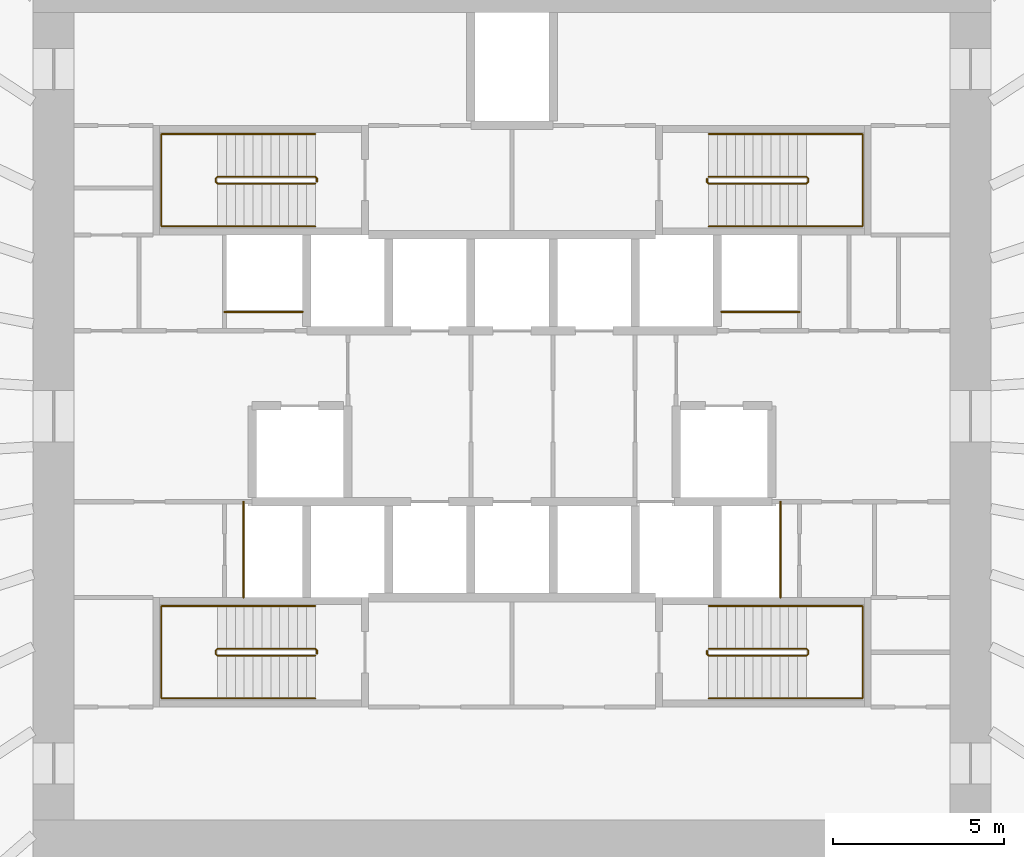
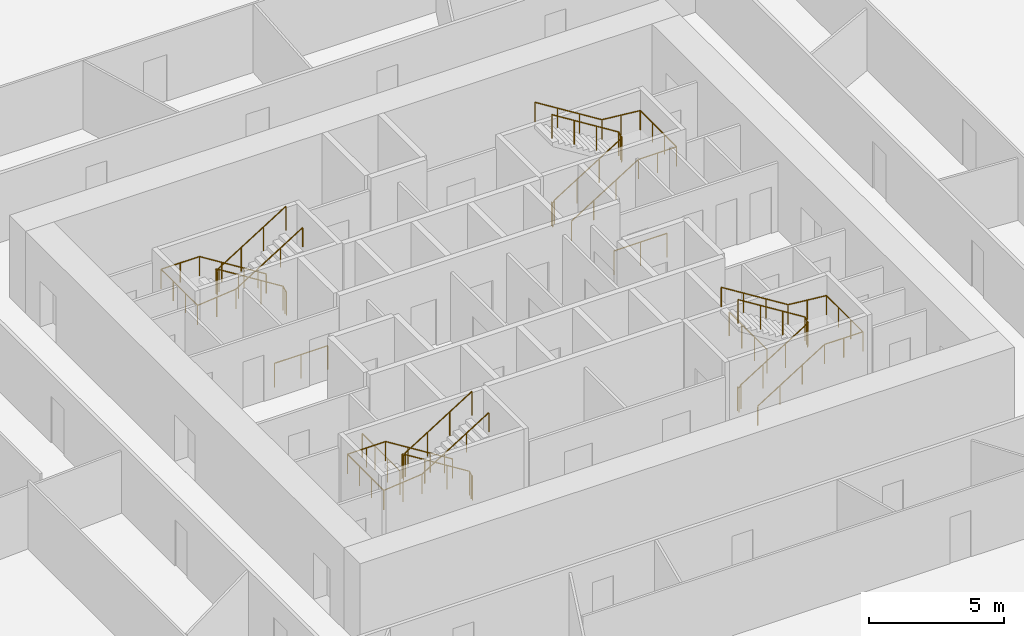
# One storey, part 10 of 10: 12 railings.
"""IFC4 building model written with IfcOpenShell, lengths in metres."""

from ifc_helpers import new_model, si_unit, direction, frame, origin, origin_2d, place, context, subcontext, project, spatial, circle, extrude, source, transform, mapped, material, type_object, element, save


model = new_model("IFC4")

# Units and contexts
model_context = context("Model", 3, precision=1e-05, world=origin(), true_north=direction((0.0, 1.0)))
body_context = subcontext(model_context, "Body", "Model", "MODEL_VIEW")
ifc_project = project(units=[si_unit("LENGTHUNIT", "METRE"), si_unit("AREAUNIT", "SQUARE_METRE"), si_unit("VOLUMEUNIT", "CUBIC_METRE"), si_unit("PLANEANGLEUNIT", "RADIAN"), si_unit("MASSUNIT", "GRAM", prefix="KILO")], contexts=[model_context])

# Site, building, storey
site_placement = place(None, origin())
site = spatial("IfcSite", under=ifc_project, at=site_placement, CompositionType="ELEMENT")
building_placement = place(site_placement, origin())
building = spatial("IfcBuilding", under=site, at=building_placement, Name="Embergate Tower", CompositionType="ELEMENT")
storey_placement = place(building_placement, frame((0.0, 0.0, 81.5)))
storey = spatial("IfcBuildingStorey", under=building, at=storey_placement, Name="L16", CompositionType="ELEMENT", Elevation=81.5)

# Railings
ifc_material_1 = material(Name="Stair guard 1100")
railing_type_1 = type_object("IfcRailingType", Name="Stair guard 1100", PredefinedType="GUARDRAIL", material=ifc_material_1)
shared_shape_1 = source(origin(), body_context, "Body", "SweptSolid", [
    extrude(circle(Radius=0.02392578125, at=origin_2d()), frame((0.0, 0.0, 1.076171875), z_axis=(0.0, 1.0, 0.0), x_axis=(-1.0, 0.0, 0.0)), (0.0, 0.0, 1.0), 0.099853515625),
    extrude(circle(Radius=0.02392578125, at=origin_2d()), frame((0.0, 0.099853515625, 1.076171875), z_axis=(-0.282227285176, 0.282227285176, 0.916894497205), x_axis=(-0.707106781187, -0.707106781187, 0.0)), (0.0, 0.0, 1.0), 0.17724609375),
    extrude(circle(Radius=0.02392578125, at=origin_2d()), frame((-0.050048828125, 0.14990234375, 1.23876953125), z_axis=(-0.848026770018, 0.0, 0.529953391661), x_axis=(0.0, -1.0, 0.0)), (0.0, 0.0, 1.0), 3.37255859375),
    extrude(circle(Radius=0.02392578125, at=origin_2d()), frame((-2.91015625, 0.14990234375, 3.02587890625), z_axis=(-0.705375805398, -0.708833529934, 0.0), x_axis=(0.708833529934, -0.705375805398, 0.0)), (0.0, 0.0, 1.0), 0.070556640625),
    extrude(circle(Radius=0.02392578125, at=origin_2d()), frame((-2.9599609375, 0.099853515625, 3.02587890625), z_axis=(0.0, -1.0, 0.0), x_axis=(1.0, 0.0, 0.0)), (0.0, 0.0, 1.0), 0.099853515625),
    extrude(circle(Radius=0.02392578125, at=origin_2d()), frame((-2.9599609375, 0.0, 3.02587890625), z_axis=(0.280959487676, -0.282336740067, 0.917250092119), x_axis=(0.708833529934, 0.705375805398, 0.0)), (0.0, 0.0, 1.0), 0.17724609375),
    extrude(circle(Radius=0.02392578125, at=origin_2d()), frame((-2.91015625, -0.050048828125, 3.1884765625), z_axis=(0.848026770018, 0.0, 0.529953391661), x_axis=(0.0, 1.0, 0.0)), (0.0, 0.0, 1.0), 3.37255859375),
    extrude(circle(Radius=0.02099609375, at=origin_2d()), origin(), (0.0, 0.0, 1.0), 1.052001953125),
    extrude(circle(Radius=0.02099609375, at=origin_2d()), frame((0.0, 0.099853515625, 0.0)), (0.0, 0.0, 1.0), 1.052001953125),
    extrude(circle(Radius=0.02099609375, at=origin_2d()), frame((-0.050048828125, 0.14990234375, 0.16259765625)), (0.0, 0.0, 1.0), 1.052001953125),
    extrude(circle(Radius=0.02099609375, at=origin_2d()), frame((-1.00341796875, 0.14990234375, 0.75830078125)), (0.0, 0.0, 1.0), 1.052001953125),
    extrude(circle(Radius=0.02099609375, at=origin_2d()), frame((-1.956787109375, 0.14990234375, 1.354248046875)), (0.0, 0.0, 1.0), 1.052001953125),
    extrude(circle(Radius=0.02099609375, at=origin_2d()), frame((-2.91015625, 0.14990234375, 1.949951171875)), (0.0, 0.0, 1.0), 1.052001953125),
    extrude(circle(Radius=0.02099609375, at=origin_2d()), frame((-2.9599609375, 0.099853515625, 1.949951171875)), (0.0, 0.0, 1.0), 1.052001953125),
    extrude(circle(Radius=0.02099609375, at=origin_2d()), frame((-2.9599609375, 0.0, 1.949951171875)), (0.0, 0.0, 1.0), 1.052001953125),
    extrude(circle(Radius=0.02099609375, at=origin_2d()), frame((-2.91015625, -0.050048828125, 2.112548828125)), (0.0, 0.0, 1.0), 1.052001953125),
    extrude(circle(Radius=0.02099609375, at=origin_2d()), frame((-1.956787109375, -0.050048828125, 2.708251953125)), (0.0, 0.0, 1.0), 1.052001953125),
    extrude(circle(Radius=0.02099609375, at=origin_2d()), frame((-1.00341796875, -0.050048828125, 3.30419921875)), (0.0, 0.0, 1.0), 1.052001953125),
    extrude(circle(Radius=0.02099609375, at=origin_2d()), frame((-0.050048828125, -0.050048828125, 3.89990234375)), (0.0, 0.0, 1.0), 1.052001953125),
])
for number, where, name in (
    (1, (-5.699951171875, 6.85009765625, 0.0), "L16 ST1 stair guard 1"),
    (2, (-5.699951171875, -6.949951171875, 0.0), "L16 ST3 stair guard 1"),
):
    element("IfcRailing", number, at=place(storey_placement, frame(where)), inside=storey, type_object=railing_type_1, Name=name, PredefinedType="GUARDRAIL", context=body_context, shape_type="MappedRepresentation", body=[
        mapped(shared_shape_1, transform((0.0, 0.0, 0.0))),
    ])
ifc_material_2 = material(Name="Stair handrail 900")
railing_type_2 = type_object("IfcRailingType", Name="Stair handrail 900", PredefinedType="HANDRAIL", material=ifc_material_2)
shared_shape_2 = source(origin(), body_context, "Body", "SweptSolid", [
    extrude(circle(Radius=0.02392578125, at=origin_2d()), frame((0.0, 0.0, 0.8759765625), z_axis=(-0.848026770018, 0.0, 0.529953391661), x_axis=(0.0, -1.0, 0.0)), (0.0, 0.0, 1.0), 3.37255859375),
    extrude(circle(Radius=0.02392578125, at=origin_2d()), frame((-2.860107421875, 0.0, 2.6630859375), z_axis=(-1.0, 0.0, 0.0), x_axis=(0.0, -1.0, 0.0)), (0.0, 0.0, 1.0), 1.639892578125),
    extrude(circle(Radius=0.02392578125, at=origin_2d()), frame((-4.5, 0.0, 2.6630859375), z_axis=(0.0, -1.0, 0.0), x_axis=(1.0, 0.0, 0.0)), (0.0, 0.0, 1.0), 2.699951171875),
    extrude(circle(Radius=0.02392578125, at=origin_2d()), frame((-4.5, -2.699951171875, 2.6630859375), z_axis=(0.995120448088, 0.0, 0.098667592441), x_axis=(0.0, 1.0, 0.0)), (0.0, 0.0, 1.0), 1.64794921875),
    extrude(circle(Radius=0.02392578125, at=origin_2d()), frame((-2.860107421875, -2.699951171875, 2.82568359375), z_axis=(0.848026770018, 0.0, 0.529953391661), x_axis=(0.0, 1.0, 0.0)), (0.0, 0.0, 1.0), 3.37255859375),
    extrude(circle(Radius=0.02099609375, at=origin_2d()), origin(), (0.0, 0.0, 1.0), 0.851806640625),
    extrude(circle(Radius=0.02099609375, at=origin_2d()), frame((-0.953369140625, 0.0, 0.595703125)), (0.0, 0.0, 1.0), 0.851806640625),
    extrude(circle(Radius=0.02099609375, at=origin_2d()), frame((-1.90673828125, 0.0, 1.191650390625)), (0.0, 0.0, 1.0), 0.851806640625),
    extrude(circle(Radius=0.02099609375, at=origin_2d()), frame((-2.860107421875, 0.0, 1.787353515625)), (0.0, 0.0, 1.0), 0.851806640625),
    extrude(circle(Radius=0.02099609375, at=origin_2d()), frame((-3.68017578125, 0.0, 1.787353515625)), (0.0, 0.0, 1.0), 0.851806640625),
    extrude(circle(Radius=0.02099609375, at=origin_2d()), frame((-4.5, 0.0, 1.787353515625)), (0.0, 0.0, 1.0), 0.851806640625),
    extrude(circle(Radius=0.02099609375, at=origin_2d()), frame((-4.5, -0.89990234375, 1.787353515625)), (0.0, 0.0, 1.0), 0.851806640625),
    extrude(circle(Radius=0.02099609375, at=origin_2d()), frame((-4.5, -1.800048828125, 1.787353515625)), (0.0, 0.0, 1.0), 0.851806640625),
    extrude(circle(Radius=0.02099609375, at=origin_2d()), frame((-4.5, -2.699951171875, 1.787353515625)), (0.0, 0.0, 1.0), 0.851806640625),
    extrude(circle(Radius=0.02099609375, at=origin_2d()), frame((-3.68017578125, -2.699951171875, 1.86865234375)), (0.0, 0.0, 1.0), 0.851806640625),
    extrude(circle(Radius=0.02099609375, at=origin_2d()), frame((-2.860107421875, -2.699951171875, 1.949951171875)), (0.0, 0.0, 1.0), 0.851806640625),
    extrude(circle(Radius=0.02099609375, at=origin_2d()), frame((-1.90673828125, -2.699951171875, 2.545654296875)), (0.0, 0.0, 1.0), 0.851806640625),
    extrude(circle(Radius=0.02099609375, at=origin_2d()), frame((-0.953369140625, -2.699951171875, 3.1416015625)), (0.0, 0.0, 1.0), 0.851806640625),
    extrude(circle(Radius=0.02099609375, at=origin_2d()), frame((0.0, -2.699951171875, 3.7373046875)), (0.0, 0.0, 1.0), 0.851806640625),
])
for number, where, name in (
    (3, (-5.75, 8.25, 0.16259765625), "L16 ST1 stair handrail 1"),
    (4, (-5.75, -5.550048828125, 0.16259765625), "L16 ST3 stair handrail 1"),
):
    element("IfcRailing", number, at=place(storey_placement, frame(where)), inside=storey, type_object=railing_type_2, Name=name, PredefinedType="HANDRAIL", context=body_context, shape_type="MappedRepresentation", body=[
        mapped(shared_shape_2, transform((0.0, 0.0, 0.0))),
    ])
shared_shape_3 = source(origin(), body_context, "Body", "SweptSolid", [
    extrude(circle(Radius=0.02392578125, at=origin_2d()), frame((0.0, 0.0, 1.076171875), z_axis=(0.0, -1.0, 0.0), x_axis=(1.0, 0.0, 0.0)), (0.0, 0.0, 1.0), 0.099853515625),
    extrude(circle(Radius=0.02392578125, at=origin_2d()), frame((0.0, -0.099853515625, 1.076171875), z_axis=(0.282227285176, -0.282227285176, 0.916894497205), x_axis=(0.707106781187, 0.707106781187, 0.0)), (0.0, 0.0, 1.0), 0.17724609375),
    extrude(circle(Radius=0.02392578125, at=origin_2d()), frame((0.050048828125, -0.14990234375, 1.23876953125), z_axis=(0.848026770018, 0.0, 0.529953391661), x_axis=(0.0, 1.0, 0.0)), (0.0, 0.0, 1.0), 3.37255859375),
    extrude(circle(Radius=0.02392578125, at=origin_2d()), frame((2.91015625, -0.14990234375, 3.02587890625), z_axis=(0.705375805398, 0.708833529934, 0.0), x_axis=(-0.708833529934, 0.705375805398, 0.0)), (0.0, 0.0, 1.0), 0.070556640625),
    extrude(circle(Radius=0.02392578125, at=origin_2d()), frame((2.9599609375, -0.099853515625, 3.02587890625), z_axis=(0.0, 1.0, 0.0), x_axis=(-1.0, 0.0, 0.0)), (0.0, 0.0, 1.0), 0.099853515625),
    extrude(circle(Radius=0.02392578125, at=origin_2d()), frame((2.9599609375, 0.0, 3.02587890625), z_axis=(-0.280959487676, 0.282336740067, 0.917250092119), x_axis=(-0.708833529934, -0.705375805398, 0.0)), (0.0, 0.0, 1.0), 0.17724609375),
    extrude(circle(Radius=0.02392578125, at=origin_2d()), frame((2.91015625, 0.050048828125, 3.1884765625), z_axis=(-0.848026770018, 0.0, 0.529953391661), x_axis=(0.0, -1.0, 0.0)), (0.0, 0.0, 1.0), 3.37255859375),
    extrude(circle(Radius=0.02099609375, at=origin_2d()), origin(), (0.0, 0.0, 1.0), 1.052001953125),
    extrude(circle(Radius=0.02099609375, at=origin_2d()), frame((0.0, -0.099853515625, 0.0)), (0.0, 0.0, 1.0), 1.052001953125),
    extrude(circle(Radius=0.02099609375, at=origin_2d()), frame((0.050048828125, -0.14990234375, 0.16259765625)), (0.0, 0.0, 1.0), 1.052001953125),
    extrude(circle(Radius=0.02099609375, at=origin_2d()), frame((1.00341796875, -0.14990234375, 0.75830078125)), (0.0, 0.0, 1.0), 1.052001953125),
    extrude(circle(Radius=0.02099609375, at=origin_2d()), frame((1.956787109375, -0.14990234375, 1.354248046875)), (0.0, 0.0, 1.0), 1.052001953125),
    extrude(circle(Radius=0.02099609375, at=origin_2d()), frame((2.91015625, -0.14990234375, 1.949951171875)), (0.0, 0.0, 1.0), 1.052001953125),
    extrude(circle(Radius=0.02099609375, at=origin_2d()), frame((2.9599609375, -0.099853515625, 1.949951171875)), (0.0, 0.0, 1.0), 1.052001953125),
    extrude(circle(Radius=0.02099609375, at=origin_2d()), frame((2.9599609375, 0.0, 1.949951171875)), (0.0, 0.0, 1.0), 1.052001953125),
    extrude(circle(Radius=0.02099609375, at=origin_2d()), frame((2.91015625, 0.050048828125, 2.112548828125)), (0.0, 0.0, 1.0), 1.052001953125),
    extrude(circle(Radius=0.02099609375, at=origin_2d()), frame((1.956787109375, 0.050048828125, 2.708251953125)), (0.0, 0.0, 1.0), 1.052001953125),
    extrude(circle(Radius=0.02099609375, at=origin_2d()), frame((1.00341796875, 0.050048828125, 3.30419921875)), (0.0, 0.0, 1.0), 1.052001953125),
    extrude(circle(Radius=0.02099609375, at=origin_2d()), frame((0.050048828125, 0.050048828125, 3.89990234375)), (0.0, 0.0, 1.0), 1.052001953125),
])
for number, where, name in (
    (5, (5.699951171875, 6.949951171875, 0.0), "L16 ST2 stair guard 1"),
    (6, (5.699951171875, -6.85009765625, 0.0), "L16 ST4 stair guard 1"),
):
    element("IfcRailing", number, at=place(storey_placement, frame(where)), inside=storey, type_object=railing_type_1, Name=name, PredefinedType="GUARDRAIL", context=body_context, shape_type="MappedRepresentation", body=[
        mapped(shared_shape_3, transform((0.0, 0.0, 0.0))),
    ])
shared_shape_4 = source(origin(), body_context, "Body", "SweptSolid", [
    extrude(circle(Radius=0.02392578125, at=origin_2d()), frame((0.0, 0.0, 0.8759765625), z_axis=(0.848026770018, 0.0, 0.529953391661), x_axis=(0.0, 1.0, 0.0)), (0.0, 0.0, 1.0), 3.37255859375),
    extrude(circle(Radius=0.02392578125, at=origin_2d()), frame((2.860107421875, 0.0, 2.6630859375), z_axis=(1.0, 0.0, 0.0), x_axis=(0.0, 1.0, 0.0)), (0.0, 0.0, 1.0), 1.639892578125),
    extrude(circle(Radius=0.02392578125, at=origin_2d()), frame((4.5, 0.0, 2.6630859375), z_axis=(0.0, 1.0, 0.0), x_axis=(-1.0, 0.0, 0.0)), (0.0, 0.0, 1.0), 2.699951171875),
    extrude(circle(Radius=0.02392578125, at=origin_2d()), frame((4.5, 2.699951171875, 2.6630859375), z_axis=(-0.995120448088, 0.0, 0.098667592441), x_axis=(0.0, -1.0, 0.0)), (0.0, 0.0, 1.0), 1.64794921875),
    extrude(circle(Radius=0.02392578125, at=origin_2d()), frame((2.860107421875, 2.699951171875, 2.82568359375), z_axis=(-0.848026770018, 0.0, 0.529953391661), x_axis=(0.0, -1.0, 0.0)), (0.0, 0.0, 1.0), 3.37255859375),
    extrude(circle(Radius=0.02099609375, at=origin_2d()), origin(), (0.0, 0.0, 1.0), 0.851806640625),
    extrude(circle(Radius=0.02099609375, at=origin_2d()), frame((0.953369140625, 0.0, 0.595703125)), (0.0, 0.0, 1.0), 0.851806640625),
    extrude(circle(Radius=0.02099609375, at=origin_2d()), frame((1.90673828125, 0.0, 1.191650390625)), (0.0, 0.0, 1.0), 0.851806640625),
    extrude(circle(Radius=0.02099609375, at=origin_2d()), frame((2.860107421875, 0.0, 1.787353515625)), (0.0, 0.0, 1.0), 0.851806640625),
    extrude(circle(Radius=0.02099609375, at=origin_2d()), frame((3.68017578125, 0.0, 1.787353515625)), (0.0, 0.0, 1.0), 0.851806640625),
    extrude(circle(Radius=0.02099609375, at=origin_2d()), frame((4.5, 0.0, 1.787353515625)), (0.0, 0.0, 1.0), 0.851806640625),
    extrude(circle(Radius=0.02099609375, at=origin_2d()), frame((4.5, 0.89990234375, 1.787353515625)), (0.0, 0.0, 1.0), 0.851806640625),
    extrude(circle(Radius=0.02099609375, at=origin_2d()), frame((4.5, 1.800048828125, 1.787353515625)), (0.0, 0.0, 1.0), 0.851806640625),
    extrude(circle(Radius=0.02099609375, at=origin_2d()), frame((4.5, 2.699951171875, 1.787353515625)), (0.0, 0.0, 1.0), 0.851806640625),
    extrude(circle(Radius=0.02099609375, at=origin_2d()), frame((3.68017578125, 2.699951171875, 1.86865234375)), (0.0, 0.0, 1.0), 0.851806640625),
    extrude(circle(Radius=0.02099609375, at=origin_2d()), frame((2.860107421875, 2.699951171875, 1.949951171875)), (0.0, 0.0, 1.0), 0.851806640625),
    extrude(circle(Radius=0.02099609375, at=origin_2d()), frame((1.90673828125, 2.699951171875, 2.545654296875)), (0.0, 0.0, 1.0), 0.851806640625),
    extrude(circle(Radius=0.02099609375, at=origin_2d()), frame((0.953369140625, 2.699951171875, 3.1416015625)), (0.0, 0.0, 1.0), 0.851806640625),
    extrude(circle(Radius=0.02099609375, at=origin_2d()), frame((0.0, 2.699951171875, 3.7373046875)), (0.0, 0.0, 1.0), 0.851806640625),
])
for number, where, name in (
    (7, (5.75, 5.550048828125, 0.16259765625), "L16 ST2 stair handrail 1"),
    (8, (5.75, -8.25, 0.16259765625), "L16 ST4 stair handrail 1"),
):
    element("IfcRailing", number, at=place(storey_placement, frame(where)), inside=storey, type_object=railing_type_2, Name=name, PredefinedType="HANDRAIL", context=body_context, shape_type="MappedRepresentation", body=[
        mapped(shared_shape_4, transform((0.0, 0.0, 0.0))),
    ])
ifc_material_3 = material(Name="Opening guard 1100")
railing_type_3 = type_object("IfcRailingType", Name="Opening guard 1100", PredefinedType="GUARDRAIL", material=ifc_material_3)
shared_shape_5 = source(origin(), body_context, "Body", "SweptSolid", [
    extrude(circle(Radius=0.02392578125, at=origin_2d()), frame((0.0, 0.0, 1.076171875), z_axis=(1.0, 0.0, 0.0), x_axis=(0.0, 1.0, 0.0)), (0.0, 0.0, 1.0), 2.27490234375),
    extrude(circle(Radius=0.02099609375, at=origin_2d()), origin(), (0.0, 0.0, 1.0), 1.052001953125),
    extrude(circle(Radius=0.02099609375, at=origin_2d()), frame((1.137451171875, 0.0, 0.0)), (0.0, 0.0, 1.0), 1.052001953125),
    extrude(circle(Radius=0.02099609375, at=origin_2d()), frame((2.27490234375, 0.0, 0.0)), (0.0, 0.0, 1.0), 1.052001953125),
])
for number, where, name in (
    (9, (-8.39990234375, 3.050048828125, 0.0), "Riser opening guard"),
    (10, (6.125, 3.050048828125, 0.0), "Riser opening guard"),
):
    element("IfcRailing", number, at=place(storey_placement, frame(where)), inside=storey, type_object=railing_type_3, Name=name, PredefinedType="GUARDRAIL", context=body_context, shape_type="MappedRepresentation", body=[
        mapped(shared_shape_5, transform((0.0, 0.0, 0.0))),
    ])
shared_shape_6 = source(origin(), body_context, "Body", "SweptSolid", [
    extrude(circle(Radius=0.02392578125, at=origin_2d()), frame((0.0, 0.0, 1.076171875), z_axis=(0.0, 1.0, 0.0), x_axis=(-1.0, 0.0, 0.0)), (0.0, 0.0, 1.0), 2.800048828125),
    extrude(circle(Radius=0.02099609375, at=origin_2d()), origin(), (0.0, 0.0, 1.0), 1.052001953125),
    extrude(circle(Radius=0.02099609375, at=origin_2d()), frame((0.0, 0.933349609375, 0.0)), (0.0, 0.0, 1.0), 1.052001953125),
    extrude(circle(Radius=0.02099609375, at=origin_2d()), frame((0.0, 1.86669921875, 0.0)), (0.0, 0.0, 1.0), 1.052001953125),
    extrude(circle(Radius=0.02099609375, at=origin_2d()), frame((0.0, 2.800048828125, 0.0)), (0.0, 0.0, 1.0), 1.052001953125),
])
for number, where, name in (
    (11, (-7.85009765625, -5.300048828125, 0.0), "Riser opening guard"),
    (12, (7.85009765625, -5.300048828125, 0.0), "Riser opening guard"),
):
    element("IfcRailing", number, at=place(storey_placement, frame(where)), inside=storey, type_object=railing_type_3, Name=name, PredefinedType="GUARDRAIL", context=body_context, shape_type="MappedRepresentation", body=[
        mapped(shared_shape_6, transform((0.0, 0.0, 0.0))),
    ])

save(model, "model.ifc")
